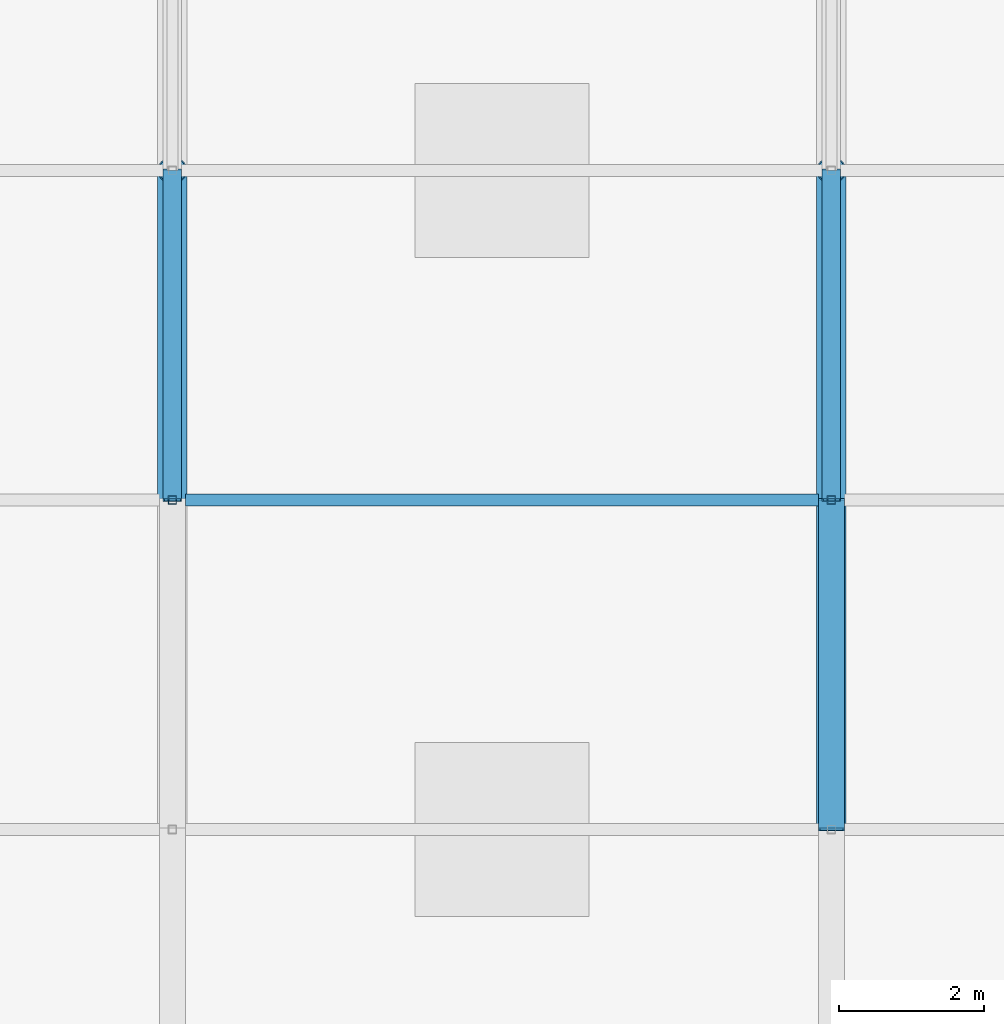
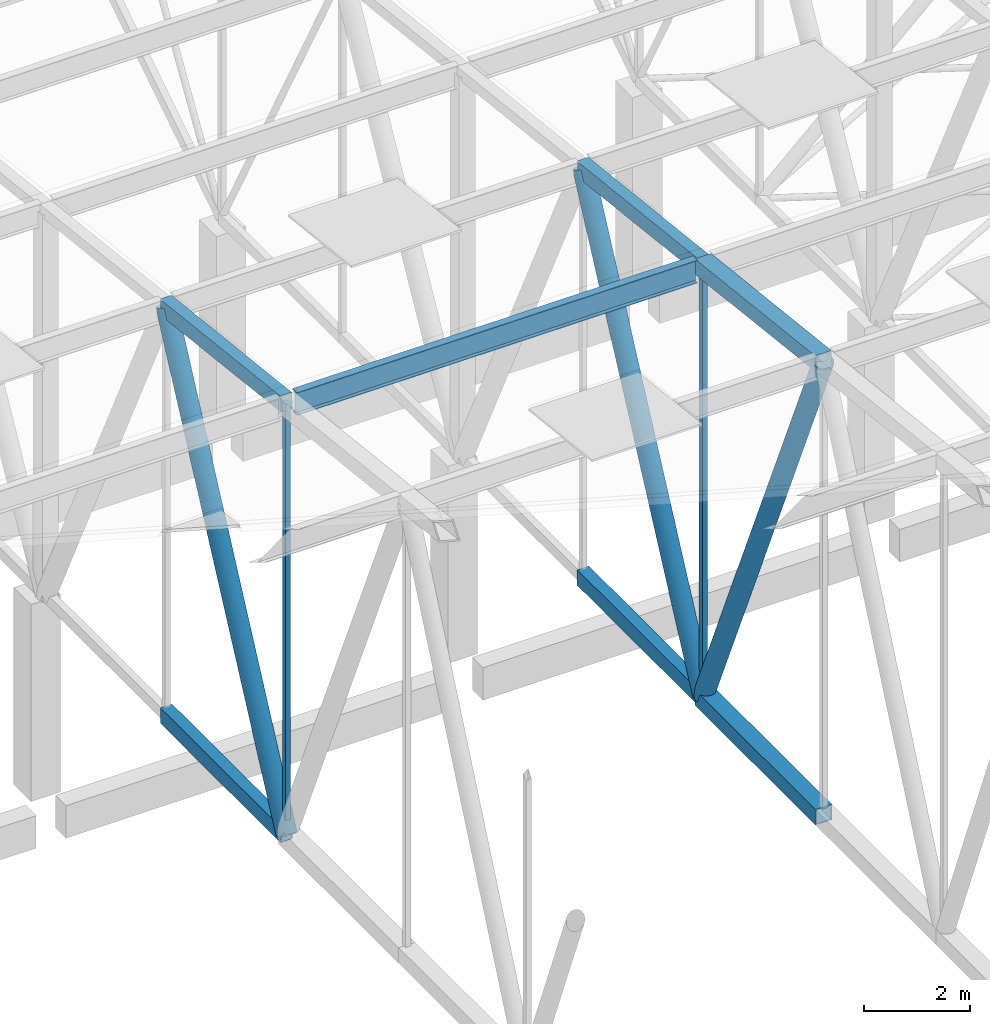
# One storey, part 299 of 500: 12 members.
"""IFC4 building model written with IfcOpenShell, lengths in metres."""

from ifc_helpers import new_model, si_unit, direction, frame, origin, origin_2d, place, context, subcontext, project, spatial, hollow_rectangle, hollow_circle, i_section, extrude, material, material_profile, profile_set, type_object, element, save


model = new_model("IFC4")

# Units and contexts
model_context = context("Model", 3, precision=1e-05, world=origin(), true_north=direction((0.0, 1.0)))
body_context = subcontext(model_context, "Body", "Model", "MODEL_VIEW")
ifc_project = project(units=[si_unit("LENGTHUNIT", "METRE"), si_unit("AREAUNIT", "SQUARE_METRE"), si_unit("VOLUMEUNIT", "CUBIC_METRE"), si_unit("PLANEANGLEUNIT", "RADIAN"), si_unit("MASSUNIT", "GRAM", prefix="KILO")], contexts=[model_context])

# Site, building, storey
site_placement = place(None, origin())
site = spatial("IfcSite", under=ifc_project, at=site_placement, CompositionType="ELEMENT")
building_placement = place(site_placement, origin())
building = spatial("IfcBuilding", under=site, at=building_placement, Name="Shirokan Park Arena", CompositionType="ELEMENT")
storey_placement = place(building_placement, frame((0.0, 0.0, 29.1201171875)))
storey = spatial("IfcBuildingStorey", under=building, at=storey_placement, Name="L06", CompositionType="ELEMENT", Elevation=29.1201171875)

# Members
ifc_material_1 = material(Name="Steel ASTM A500 Grade C", Category="steel")
ifc_material_profile_1 = material_profile(ifc_material_1, hollow_rectangle(XDim=0.25390625, YDim=0.35595703125, WallThickness=0.015869140625, at=origin_2d()), Name="HSS355.6X254X15.9")
ifc_profile_set_1 = profile_set([ifc_material_profile_1], Name="Steel ASTM A500 Grade C")
member_type_1 = type_object("IfcMemberType", Name="Bottom chord HSS355.6X254X15.9", PredefinedType="CHORD", material=ifc_profile_set_1)
for number, where, z_axis, x_axis, name in (
    (1, (72.800048828125, 91.0, 4.677001953125), (0.0, 1.0, 0.0), (-1.0, 0.0, 0.0), "Truss T09 bottom chord 23"),
    (2, (81.89990234375, 91.0, 4.677001953125), (0.0, 1.0, 0.0), (-1.0, 0.0, 0.0), "Truss T10 bottom chord 23"),
):
    element("IfcMember", number, at=place(storey_placement, frame(where, z_axis=z_axis, x_axis=x_axis)), inside=storey, type_object=member_type_1, Name=name, PredefinedType="CHORD", context=body_context, shape_type="SweptSolid", body=[
        extrude(hollow_rectangle(XDim=0.25390625, YDim=0.35595703125, WallThickness=0.015869140625, at=origin_2d()), origin(), (0.0, 0.0, 1.0), 4.550048828125),
    ])
ifc_material_profile_2 = material_profile(ifc_material_1, hollow_rectangle(XDim=0.35595703125, YDim=0.35595703125, WallThickness=0.01904296875, at=origin_2d()), Name="HSS355.6X355.6X19.0")
ifc_profile_set_2 = profile_set([ifc_material_profile_2], Name="Steel ASTM A500 Grade C")
member_type_2 = type_object("IfcMemberType", Name="Bottom chord HSS355.6X355.6X19.0", PredefinedType="CHORD", material=ifc_profile_set_2)
member_1_placement = place(storey_placement, frame((81.89990234375, 86.449951171875, 4.677001953125), z_axis=(0.0, 1.0, 0.0), x_axis=(-1.0, 0.0, 0.0)))
element("IfcMember", 3, at=member_1_placement, inside=storey, type_object=member_type_2, Name="Truss T10 bottom chord 22", PredefinedType="CHORD", context=body_context, shape_type="SweptSolid", body=[
    extrude(hollow_rectangle(XDim=0.35595703125, YDim=0.35595703125, WallThickness=0.01904296875, at=origin_2d()), origin(), (0.0, 0.0, 1.0), 4.550048828125),
])
ifc_material_2 = material(Name="Steel ASTM A992", Category="steel")
ifc_material_profile_3 = material_profile(ifc_material_2, i_section(OverallWidth=0.166015625, OverallDepth=0.528076171875, WebThickness=0.009765625, FlangeThickness=0.013671875, at=origin_2d()), Name="W530X74")
ifc_profile_set_3 = profile_set([ifc_material_profile_3], Name="Steel ASTM A992")
member_type_3 = type_object("IfcMemberType", Name="Purlin W530X74", PredefinedType="PURLIN", material=ifc_profile_set_3)
member_2_placement = place(storey_placement, frame((72.97802734375, 91.0, 14.56591796875), z_axis=(1.0, 0.0, 0.0), x_axis=(0.0, 1.0, 0.0)))
element("IfcMember", 4, at=member_2_placement, inside=storey, type_object=member_type_3, Name="Purlin 23 bay 9", PredefinedType="PURLIN", context=body_context, shape_type="SweptSolid", body=[
    extrude(i_section(OverallWidth=0.166015625, OverallDepth=0.528076171875, WebThickness=0.009765625, FlangeThickness=0.013671875, at=origin_2d()), origin(), (0.0, 0.0, 1.0), 8.743896484375),
])
ifc_material_profile_4 = material_profile(ifc_material_1, hollow_rectangle(XDim=0.25390625, YDim=0.35595703125, WallThickness=0.015869140625, at=origin_2d()), Name="HSS355.6X254X15.9")
ifc_profile_set_4 = profile_set([ifc_material_profile_4], Name="Steel ASTM A500 Grade C")
member_type_4 = type_object("IfcMemberType", Name="Top chord HSS355.6X254X15.9", PredefinedType="CHORD", material=ifc_profile_set_4)
for number, where, z_axis, x_axis, name in (
    (5, (72.800048828125, 91.0, 14.621337890625), (0.0, 0.993532328996, -0.113549598152), (-1.0, 0.0, 0.0), "Truss T09 top chord 23"),
    (6, (81.89990234375, 91.0, 14.621337890625), (0.0, 0.993532328996, -0.113549598152), (-1.0, 0.0, 0.0), "Truss T10 top chord 23"),
):
    element("IfcMember", number, at=place(storey_placement, frame(where, z_axis=z_axis, x_axis=x_axis)), inside=storey, type_object=member_type_4, Name=name, PredefinedType="CHORD", context=body_context, shape_type="SweptSolid", body=[
        extrude(hollow_rectangle(XDim=0.25390625, YDim=0.35595703125, WallThickness=0.015869140625, at=origin_2d()), origin(), (0.0, 0.0, 1.0), 4.57958984375),
    ])
ifc_material_profile_5 = material_profile(ifc_material_1, hollow_rectangle(XDim=0.35595703125, YDim=0.35595703125, WallThickness=0.01904296875, at=origin_2d()), Name="HSS355.6X355.6X19.0")
ifc_profile_set_5 = profile_set([ifc_material_profile_5], Name="Steel ASTM A500 Grade C")
member_type_5 = type_object("IfcMemberType", Name="Top chord HSS355.6X355.6X19.0", PredefinedType="CHORD", material=ifc_profile_set_5)
member_3_placement = place(storey_placement, frame((81.89990234375, 86.449951171875, 15.141357421875), z_axis=(0.0, 0.993532328996, -0.113549598152), x_axis=(-1.0, 0.0, 0.0)))
element("IfcMember", 7, at=member_3_placement, inside=storey, type_object=member_type_5, Name="Truss T10 top chord 22", PredefinedType="CHORD", context=body_context, shape_type="SweptSolid", body=[
    extrude(hollow_rectangle(XDim=0.35595703125, YDim=0.35595703125, WallThickness=0.01904296875, at=origin_2d()), origin(), (0.0, 0.0, 1.0), 4.57958984375),
])
ifc_material_profile_6 = material_profile(ifc_material_1, hollow_circle(Radius=0.202880859375, WallThickness=0.015869140625, at=origin_2d()), Name="HSS406.4X15.9")
ifc_profile_set_6 = profile_set([ifc_material_profile_6], Name="Steel ASTM A500 Grade C")
member_type_6 = type_object("IfcMemberType", Name="Truss diagonal HSS406.4X15.9", PredefinedType="BRACE", material=ifc_profile_set_6)
member_4_placement = place(storey_placement, frame((72.800048828125, 91.0, 4.677001953125), z_axis=(0.0, 0.434778423415, 0.900537463148), x_axis=(-1.0, 0.0, 0.0)))
element("IfcMember", 8, at=member_4_placement, inside=storey, type_object=member_type_6, Name="Truss T09 diagonal 23", PredefinedType="BRACE", context=body_context, shape_type="SweptSolid", body=[
    extrude(hollow_circle(Radius=0.202880859375, WallThickness=0.015869140625, at=origin_2d()), origin(), (0.0, 0.0, 1.0), 10.46533203125),
])
member_5_placement = place(storey_placement, frame((81.89990234375, 86.449951171875, 15.141357421875), z_axis=(0.0, 0.398750364192, -0.917059511186), x_axis=(-1.0, 0.0, 0.0)))
element("IfcMember", 9, at=member_5_placement, inside=storey, type_object=member_type_6, Name="Truss T10 diagonal 22", PredefinedType="BRACE", context=body_context, shape_type="SweptSolid", body=[
    extrude(hollow_circle(Radius=0.202880859375, WallThickness=0.015869140625, at=origin_2d()), origin(), (0.0, 0.0, 1.0), 11.410888671875),
])
member_6_placement = place(storey_placement, frame((81.89990234375, 91.0, 4.677001953125), z_axis=(0.0, 0.434778423415, 0.900537463148), x_axis=(-1.0, 0.0, 0.0)))
element("IfcMember", 10, at=member_6_placement, inside=storey, type_object=member_type_6, Name="Truss T10 diagonal 23", PredefinedType="BRACE", context=body_context, shape_type="SweptSolid", body=[
    extrude(hollow_circle(Radius=0.202880859375, WallThickness=0.015869140625, at=origin_2d()), origin(), (0.0, 0.0, 1.0), 10.46533203125),
])
ifc_material_profile_7 = material_profile(ifc_material_1, hollow_rectangle(XDim=0.114013671875, YDim=0.114013671875, WallThickness=0.00634765625, at=origin_2d()), Name="HSS114.3X114.3X6.4")
ifc_profile_set_7 = profile_set([ifc_material_profile_7], Name="Steel ASTM A500 Grade C")
member_type_7 = type_object("IfcMemberType", Name="Truss post HSS114.3X114.3X6.4", PredefinedType="POST", material=ifc_profile_set_7)
for number, where, z_axis, x_axis, name in (
    (11, (72.800048828125, 91.0, 4.677001953125), (0.0, 0.0, 1.0), (1.0, 0.0, 0.0), "Truss T09 post 23"),
    (12, (81.89990234375, 91.0, 4.677001953125), (0.0, 0.0, 1.0), (1.0, 0.0, 0.0), "Truss T10 post 23"),
):
    element("IfcMember", number, at=place(storey_placement, frame(where, z_axis=z_axis, x_axis=x_axis)), inside=storey, type_object=member_type_7, Name=name, PredefinedType="POST", context=body_context, shape_type="SweptSolid", body=[
        extrude(hollow_rectangle(XDim=0.114013671875, YDim=0.114013671875, WallThickness=0.00634765625, at=origin_2d()), origin(), (0.0, 0.0, 1.0), 9.9443359375),
    ])

save(model, "model.ifc")
